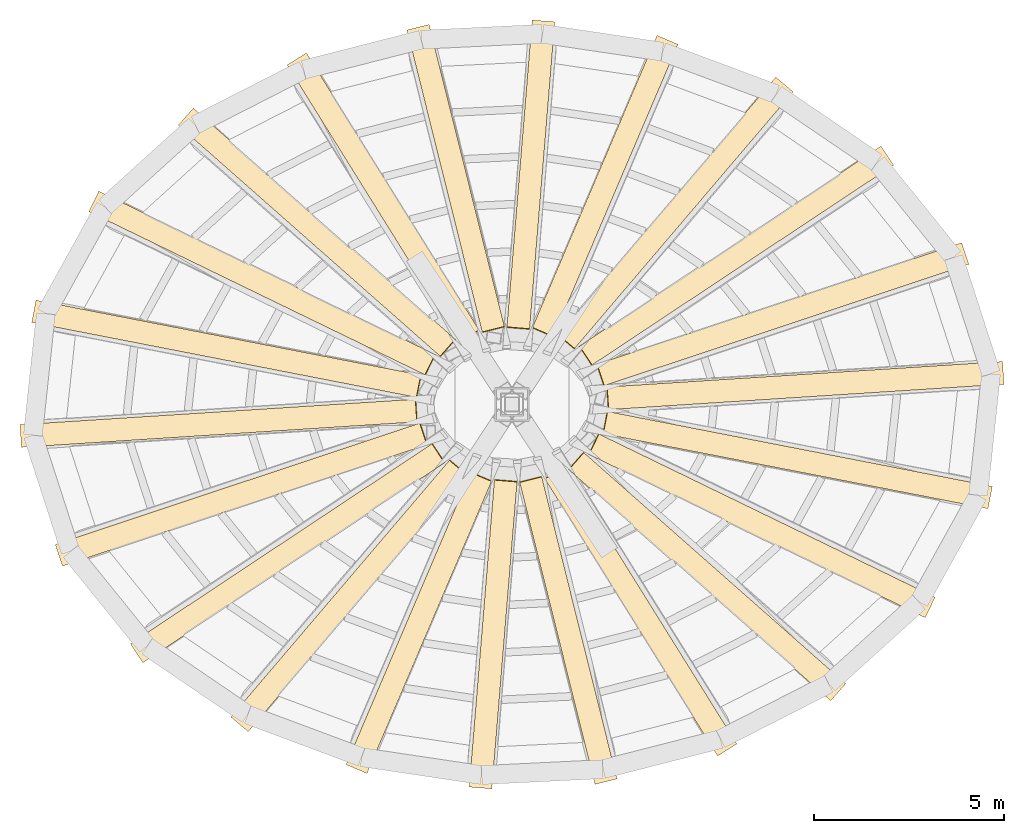
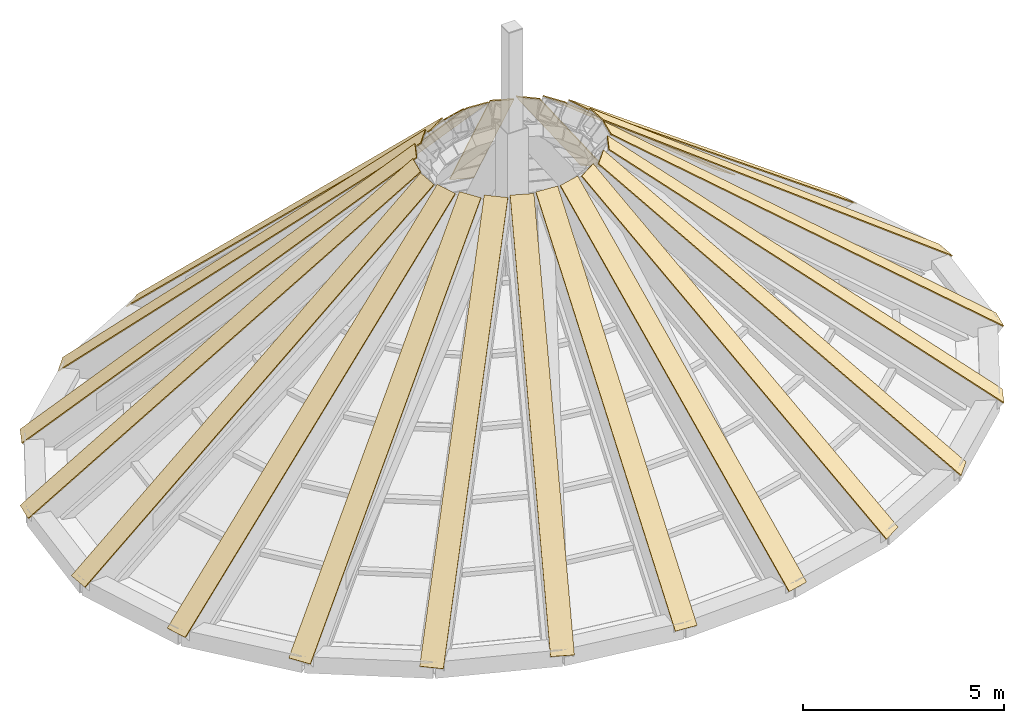
# One storey, part 9 of 9: 22 coverings.
"""IFC4 building model written with IfcOpenShell, lengths in metres."""

import ifcopenshell
import ifcopenshell.guid

model = None  # the IFC model being written
_history = None  # IfcOwnerHistory: only IFC2X3 demands one
_inside = {}  # id of a spatial element -> (the spatial element, [elements in it])
_under = {}  # id of a project, library or spatial element -> (it, [spatial elements below it])
_declared = {}  # id of a project -> (the project, [libraries it declares])
_typed = {}  # id of a type object -> (the type object, [elements of that type])
_made_of = {}  # id of a material, layer set ... -> (it, [elements and type objects made of it])


def new_model(schema):
    """Start an empty IFC model of exactly this schema.

    Asked for "IFC4X3", IfcOpenShell would pick the latest addendum, in which some entities
    have other attributes; the version numbers below select the first issue.
    IFC2X3 requires an IfcOwnerHistory on every rooted entity: one is made here for all.
    """
    global model, _history
    if schema == "IFC4X3":
        model = ifcopenshell.file(schema_version=(4, 3, 0, 0))
    else:
        model = ifcopenshell.file(schema=schema)
    _inside.clear()
    _under.clear()
    _declared.clear()
    _typed.clear()
    _made_of.clear()
    _history = None
    if model.schema == "IFC2X3":
        org = make("IfcOrganization", Name="unknown")
        user = make(
            "IfcPersonAndOrganization",
            ThePerson=make("IfcPerson", FamilyName="unknown"),
            TheOrganization=org,
        )
        app = make(
            "IfcApplication",
            ApplicationDeveloper=org,
            Version="unknown",
            ApplicationFullName="unknown",
            ApplicationIdentifier="unknown",
        )
        _history = make(
            "IfcOwnerHistory",
            OwningUser=user,
            OwningApplication=app,
            ChangeAction="ADDED",
            CreationDate=0,
        )
    return model


def make(cls, **values):
    """One entity of the class cls with the attributes given. An attribute that is None is left unset."""
    return model.create_entity(
        cls, **{name: value for name, value in values.items() if value is not None}
    )


def rooted(cls, **values):
    """An entity with a GlobalId (a new one), such as an element, a storey or a relation."""
    return make(cls, GlobalId=ifcopenshell.guid.new(), OwnerHistory=_history, **values)


def si_unit(unit_type, name, prefix=None):
    """IfcSIUnit, for example si_unit("LENGTHUNIT", "METRE", prefix="MILLI")."""
    return make("IfcSIUnit", UnitType=unit_type, Prefix=prefix, Name=name)


def assignment(units):
    """IfcUnitAssignment: the units of a project."""
    return None if units is None else make("IfcUnitAssignment", Units=units)


def point(xyz):
    """IfcCartesianPoint."""
    return None if xyz is None else make("IfcCartesianPoint", Coordinates=xyz)


def direction(xyz):
    """IfcDirection."""
    return None if xyz is None else make("IfcDirection", DirectionRatios=xyz)


def frame(location, z_axis=None, x_axis=None):
    """IfcAxis2Placement3D, a coordinate frame: its origin and axes. An axis left out is left unset."""
    return make(
        "IfcAxis2Placement3D",
        Location=point(location),
        Axis=direction(z_axis),
        RefDirection=direction(x_axis),
    )


def origin():
    """The frame at (0, 0, 0) with its axes left unset."""
    return frame((0.0, 0.0, 0.0))


def place(relative_to, where):
    """IfcLocalPlacement: puts the frame where relative to a parent placement (None: the world)."""
    return make(
        "IfcLocalPlacement", PlacementRelTo=relative_to, RelativePlacement=where
    )


def context(
    kind, dimensions, precision=None, world=None, true_north=None, identifier=None
):
    """IfcGeometricRepresentationContext, for example the 3D "Model" context."""
    return make(
        "IfcGeometricRepresentationContext",
        ContextIdentifier=identifier,
        ContextType=kind,
        CoordinateSpaceDimension=dimensions,
        Precision=precision,
        WorldCoordinateSystem=world,
        TrueNorth=true_north,
    )


def subcontext(parent, identifier, kind, view, scale=None):
    """IfcGeometricRepresentationSubContext, for example "Body" below "Model"."""
    return make(
        "IfcGeometricRepresentationSubContext",
        ContextIdentifier=identifier,
        ContextType=kind,
        ParentContext=parent,
        TargetScale=scale,
        TargetView=view,
    )


def project(units=None, contexts=None):
    """IfcProject with its units and contexts."""
    return rooted(
        "IfcProject",
        Name="project",
        RepresentationContexts=contexts,
        UnitsInContext=assignment(units),
    )


def spatial(cls, under=None, at=None, **own):
    """A site, building, storey or space (cls), placed at a placement, below another one or the project."""
    s = rooted(cls, ObjectPlacement=at, **own)
    if under is not None:
        _under.setdefault(under.id(), (under, []))[1].append(s)
    return s


def polyline(points):
    """IfcPolyline through the points."""
    return make("IfcPolyline", Points=[point(p) for p in points])


def outline(outer, holes=None, kind="AREA"):
    """IfcArbitraryClosedProfileDef: a profile drawn as a closed curve; with holes, ...WithVoids."""
    if holes is None:
        return make("IfcArbitraryClosedProfileDef", ProfileType=kind, OuterCurve=outer)
    return make(
        "IfcArbitraryProfileDefWithVoids",
        ProfileType=kind,
        OuterCurve=outer,
        InnerCurves=holes,
    )


def extrude(swept, where, along, depth):
    """IfcExtrudedAreaSolid: the profile swept, set in the frame where, extruded along a direction by depth."""
    return make(
        "IfcExtrudedAreaSolid",
        SweptArea=swept,
        Position=where,
        ExtrudedDirection=direction(along),
        Depth=depth,
    )


def shape(context_of_items, identifier, shape_type, items):
    """IfcShapeRepresentation: the items that make up one representation, for example the "Body"."""
    return make(
        "IfcShapeRepresentation",
        ContextOfItems=context_of_items,
        RepresentationIdentifier=identifier,
        RepresentationType=shape_type,
        Items=items,
    )


def source(mapping_origin, context_of_items, identifier, shape_type, items):
    """IfcRepresentationMap: a shape defined once, which mapped items show again and again."""
    return make(
        "IfcRepresentationMap",
        MappingOrigin=mapping_origin,
        MappedRepresentation=shape(context_of_items, identifier, shape_type, items),
    )


def transform(
    local_origin,
    x_axis=None,
    y_axis=None,
    z_axis=None,
    scale=None,
    scale2=None,
    scale3=None,
    uniform=True,
):
    """IfcCartesianTransformationOperator3D, or its non-uniform kind. x_axis, y_axis, z_axis: its Axis1, 2, 3."""
    if uniform:
        return make(
            "IfcCartesianTransformationOperator3D",
            Axis1=direction(x_axis),
            Axis2=direction(y_axis),
            LocalOrigin=point(local_origin),
            Scale=scale,
            Axis3=direction(z_axis),
        )
    return make(
        "IfcCartesianTransformationOperator3DnonUniform",
        Axis1=direction(x_axis),
        Axis2=direction(y_axis),
        LocalOrigin=point(local_origin),
        Scale=scale,
        Axis3=direction(z_axis),
        Scale2=scale2,
        Scale3=scale3,
    )


def mapped(mapping_source, mapping_target):
    """IfcMappedItem: shows the shape of a source again, moved by a transform."""
    return make(
        "IfcMappedItem", MappingSource=mapping_source, MappingTarget=mapping_target
    )


def material(Name=None, Category=None):
    """IfcMaterial."""
    return make("IfcMaterial", Name=Name, Category=Category)


def layer(
    of_material, thickness, ventilated=None, Name=None, Category=None, Priority=None
):
    """IfcMaterialLayer: one layer of a wall or slab, of a material (None: an air gap)."""
    return make(
        "IfcMaterialLayer",
        Material=of_material,
        LayerThickness=thickness,
        IsVentilated=ventilated,
        Name=Name,
        Category=Category,
        Priority=Priority,
    )


def layer_set(layers, Name=None):
    """IfcMaterialLayerSet."""
    return make("IfcMaterialLayerSet", MaterialLayers=layers, LayerSetName=Name)


def made_of(thing, what):
    """Note that an element or type object is made of a material, layer set ...; save() writes the relation."""
    if what is not None:
        _made_of.setdefault(what.id(), (what, []))[1].append(thing)
    return thing


def type_object(cls, material=None, **own):
    """A type object (cls), such as IfcWallType, which elements share."""
    return made_of(rooted(cls, **own), material)


def element(
    cls,
    number,
    at=None,
    inside=None,
    cuts=None,
    type_object=None,
    material=None,
    context=None,
    identifier="Body",
    shape_type=None,
    held_by="IfcProductDefinitionShape",
    body=None,
    shapes=None,
    **own,
):
    """One element of the class cls, such as IfcWall. Its Tag is "e" and its number.

    at: its placement. inside: the storey or other place that contains it. cuts: it is an
    opening in that element (IfcRelVoidsElement). A single representation is given by context,
    identifier, shape_type and body (its items); several are given by shapes. held_by: the class
    of the entity that holds the representations. save() writes the other relations.
    """
    e = rooted(cls, Tag="e%d" % number, ObjectPlacement=at, **own)
    if body is not None:
        shapes = [shape(context, identifier, shape_type, body)]
    if shapes is not None:
        e.Representation = make(held_by, Representations=shapes)
    if inside is not None:
        _inside.setdefault(inside.id(), (inside, []))[1].append(e)
    if cuts is not None:
        rooted(
            "IfcRelVoidsElement", RelatingBuildingElement=cuts, RelatedOpeningElement=e
        )
    if type_object is not None:
        _typed.setdefault(type_object.id(), (type_object, []))[1].append(e)
    return made_of(e, material)


def aggregate(whole, parts):
    """IfcRelAggregates: a whole, such as a stair, and the parts it consists of."""
    return rooted("IfcRelAggregates", RelatingObject=whole, RelatedObjects=parts)


def save(model, path):
    """Write the relations noted so far, then the file.

    IfcRelAggregates (storeys below a building ...), IfcRelContainedInSpatialStructure (elements
    in a storey), IfcRelDefinesByType, IfcRelAssociatesMaterial and IfcRelDeclares: one each for
    every whole, place, type object, material and project.
    """
    for whole, parts in _under.values():
        aggregate(whole, parts)
    for where, things in _inside.values():
        rooted(
            "IfcRelContainedInSpatialStructure",
            RelatedElements=things,
            RelatingStructure=where,
        )
    for kind, things in _typed.values():
        rooted("IfcRelDefinesByType", RelatedObjects=things, RelatingType=kind)
    for what, things in _made_of.values():
        rooted("IfcRelAssociatesMaterial", RelatedObjects=things, RelatingMaterial=what)
    for by, libraries in _declared.values():
        rooted("IfcRelDeclares", RelatingContext=by, RelatedDefinitions=libraries)
    model.write(path)


model = new_model("IFC4")

# Units and contexts
model_context = context("Model", 3, precision=1e-05, world=origin(), true_north=direction((0.0, 1.0)))
body_context = subcontext(model_context, "Body", "Model", "MODEL_VIEW")
ifc_project = project(units=[si_unit("LENGTHUNIT", "METRE"), si_unit("AREAUNIT", "SQUARE_METRE"), si_unit("VOLUMEUNIT", "CUBIC_METRE"), si_unit("PLANEANGLEUNIT", "RADIAN"), si_unit("MASSUNIT", "GRAM", prefix="KILO")], contexts=[model_context])

# Site, building, storey
site_placement = place(None, origin())
site = spatial("IfcSite", under=ifc_project, at=site_placement, CompositionType="ELEMENT")
building_placement = place(site_placement, origin())
building = spatial("IfcBuilding", under=site, at=building_placement, Name="Embergate Tower", CompositionType="ELEMENT")
storey_placement = place(building_placement, frame((0.0, 0.0, 374.5)))
storey = spatial("IfcBuildingStorey", under=building, at=storey_placement, Name="Roof", CompositionType="ELEMENT", Elevation=374.5)

# Coverings
ifc_material = material(Name="Terracotta, extruded and fired", Category="masonry")
ifc_layer = layer(ifc_material, 0.030029296875)
ifc_layer_set = layer_set([ifc_layer], Name="Terracotta, extruded and fired")
covering_type = type_object("IfcCoveringType", Name="Terracotta hip facing", PredefinedType="CLADDING", material=ifc_layer_set)
shared_shape_1 = source(origin(), body_context, "Body", "SweptSolid", [
    extrude(outline(polyline([(0.0, 0.0), (13.272705078125, 0.0), (13.2724609375, -0.599853515625), (0.0, -0.599853515625), (0.0, 0.0)])), origin(), (0.0, 0.0, -1.0), 0.030029296875),
])
for number, where, z_axis, x_axis, name in (
    (1, (12.976318359375, 0.53271484375, 0.166748046875), (0.615501475933, 0.039410167912, 0.787149777228), (-0.785529856111, -0.0504740411, 0.616761879766), "Hip facing Roof-HP00"),
    (2, (-12.976318359375, -0.53271484375, 0.166748046875), (-0.615501475933, -0.039410167912, 0.787149777228), (0.785529856111, 0.0504740411, 0.616761879766), "Hip facing Roof-HP11"),
):
    element("IfcCovering", number, at=place(storey_placement, frame(where, z_axis=z_axis, x_axis=x_axis)), inside=storey, type_object=covering_type, Name=name, PredefinedType="CLADDING", context=body_context, shape_type="MappedRepresentation", body=[
        mapped(shared_shape_1, transform((0.0, 0.0, 0.0))),
    ])
shared_shape_2 = source(origin(), body_context, "Body", "SweptSolid", [
    extrude(outline(polyline([(0.0, 0.0), (13.02685546875, 0.0), (13.02685546875, -0.60009765625), (0.0, -0.60009765625), (0.0, 0.0)])), origin(), (0.0, 0.0, -1.0), 0.030029296875),
])
for number, where, z_axis, x_axis, name in (
    (3, (12.047607421875, 3.69482421875, 0.16259765625), (0.596358802218, 0.198573160344, 0.777769168203), (-0.737935294924, -0.245716054653, 0.62855001471), "Hip facing Roof-HP01"),
    (4, (-12.047607421875, -3.69482421875, 0.16259765625), (-0.596358802218, -0.198573160344, 0.777769168203), (0.737935294924, 0.245716054653, 0.62855001471), "Hip facing Roof-HP12"),
):
    element("IfcCovering", number, at=place(storey_placement, frame(where, z_axis=z_axis, x_axis=x_axis)), inside=storey, type_object=covering_type, Name=name, PredefinedType="CLADDING", context=body_context, shape_type="MappedRepresentation", body=[
        mapped(shared_shape_2, transform((0.0, 0.0, 0.0))),
    ])
shared_shape_3 = source(origin(), body_context, "Body", "SweptSolid", [
    extrude(outline(polyline([(0.0, 0.0), (12.576904296875, 0.0), (12.57666015625, -0.60009765625), (0.0, -0.60009765625), (0.0, 0.0)])), origin(), (0.0, 0.0, -1.0), 0.030029296875),
])
for number, where, z_axis, x_axis, name in (
    (5, (10.06396484375, 6.311767578125, 0.15234375), (0.543207302474, 0.360017333704, 0.75849413048), (-0.632190231414, -0.419104832998, 0.651679867928), "Hip facing Roof-HP02"),
    (6, (-10.06396484375, -6.311767578125, 0.15234375), (-0.543207302474, -0.360017333704, 0.75849413048), (0.632190231414, 0.419104832998, 0.651679867928), "Hip facing Roof-HP13"),
):
    element("IfcCovering", number, at=place(storey_placement, frame(where, z_axis=z_axis, x_axis=x_axis)), inside=storey, type_object=covering_type, Name=name, PredefinedType="CLADDING", context=body_context, shape_type="MappedRepresentation", body=[
        mapped(shared_shape_3, transform((0.0, 0.0, 0.0))),
    ])
shared_shape_4 = source(origin(), body_context, "Body", "SweptSolid", [
    extrude(outline(polyline([(0.0, 0.0), (12.096435546875, 0.0), (12.096435546875, -0.600341796875), (0.0, -0.599853515625), (0.0, 0.0)])), origin(), (0.0, 0.0, -1.0), 0.030029296875),
])
for number, where, z_axis, x_axis, name in (
    (7, (7.41455078125, 8.243896484375, 0.140380859375), (0.439685303541, 0.516392246989, 0.734857728475), (-0.47641318582, -0.559505458035, 0.67822129044), "Hip facing Roof-HP03"),
    (8, (-7.41455078125, -8.243896484375, 0.140380859375), (-0.439685303541, -0.516392246989, 0.734857728475), (0.47641318582, 0.559505458035, 0.67822129044), "Hip facing Roof-HP14"),
):
    element("IfcCovering", number, at=place(storey_placement, frame(where, z_axis=z_axis, x_axis=x_axis)), inside=storey, type_object=covering_type, Name=name, PredefinedType="CLADDING", context=body_context, shape_type="MappedRepresentation", body=[
        mapped(shared_shape_4, transform((0.0, 0.0, 0.0))),
    ])
shared_shape_5 = source(origin(), body_context, "Body", "SweptSolid", [
    extrude(outline(polyline([(0.0, 0.0), (11.725830078125, 0.0), (11.725830078125, -0.599853515625), (0.0, -0.60009765625), (0.0, 0.0)])), origin(), (0.0, 0.0, -1.0), 0.030029296875),
])
for number, where, z_axis, x_axis, name in (
    (9, (4.376708984375, 9.497802734375, 0.130615234375), (0.274656602438, 0.644046939638, 0.713979894871), (-0.280081535372, -0.656750808028, 0.700166201482), "Hip facing Roof-HP04"),
    (10, (-4.376708984375, -9.497802734375, 0.130615234375), (-0.274656602438, -0.644046939638, 0.713979894871), (0.280081535372, 0.656750808028, 0.700166201482), "Hip facing Roof-HP15"),
):
    element("IfcCovering", number, at=place(storey_placement, frame(where, z_axis=z_axis, x_axis=x_axis)), inside=storey, type_object=covering_type, Name=name, PredefinedType="CLADDING", context=body_context, shape_type="MappedRepresentation", body=[
        mapped(shared_shape_5, transform((0.0, 0.0, 0.0))),
    ])
shared_shape_6 = source(origin(), body_context, "Body", "SweptSolid", [
    extrude(outline(polyline([(0.0, 0.0), (11.551025390625, 0.0), (11.551025390625, -0.599853515625), (0.0, -0.599853515625), (0.0, 0.0)])), origin(), (0.0, 0.0, -1.0), 0.030029296875),
])
for number, where, z_axis, x_axis, name in (
    (11, (1.128173828125, 10.09033203125, 0.125), (0.058168899655, 0.708734503757, 0.703073098829), (-0.057489666427, -0.700718717304, 0.711117583437), "Hip facing Roof-HP05"),
    (12, (-1.128173828125, -10.09033203125, 0.125), (-0.058168899655, -0.708734503757, 0.703073098829), (0.057489666427, 0.700718717304, 0.711117583437), "Hip facing Roof-HP16"),
):
    element("IfcCovering", number, at=place(storey_placement, frame(where, z_axis=z_axis, x_axis=x_axis)), inside=storey, type_object=covering_type, Name=name, PredefinedType="CLADDING", context=body_context, shape_type="MappedRepresentation", body=[
        mapped(shared_shape_6, transform((0.0, 0.0, 0.0))),
    ])
shared_shape_7 = source(origin(), body_context, "Body", "SweptSolid", [
    extrude(outline(polyline([(0.0, 0.0), (11.6103515625, 0.0), (11.6103515625, -0.599853515625), (0.0, -0.60009765625), (0.0, 0.0)])), origin(), (0.0, 0.0, -1.0), 0.030029296875),
])
for number, where, z_axis, x_axis, name in (
    (13, (-2.187255859375, 10.02197265625, 0.127197265625), (-0.170973783181, 0.686341727265, 0.706896738484), (0.170873641174, -0.685933814324, 0.707316761514), "Hip facing Roof-HP06"),
    (14, (2.187255859375, -10.02197265625, 0.127197265625), (0.170973783181, -0.686341727265, 0.706896738484), (-0.170873641174, 0.685933814324, 0.707316761514), "Hip facing Roof-HP17"),
):
    element("IfcCovering", number, at=place(storey_placement, frame(where, z_axis=z_axis, x_axis=x_axis)), inside=storey, type_object=covering_type, Name=name, PredefinedType="CLADDING", context=body_context, shape_type="MappedRepresentation", body=[
        mapped(shared_shape_7, transform((0.0, 0.0, 0.0))),
    ])
shared_shape_8 = source(origin(), body_context, "Body", "SweptSolid", [
    extrude(outline(polyline([(0.0, 0.0), (11.890625, 0.0), (11.890625, -0.60009765625), (0.0, -0.60009765625), (0.0, 0.0)])), origin(), (0.0, 0.0, -1.0), 0.030029296875),
])
for number, where, z_axis, x_axis, name in (
    (15, (-5.421875, 9.27099609375, 0.134765625), (-0.365099537382, 0.585844334599, 0.723525219617), (0.382579464018, -0.614102355461, 0.690297943448), "Hip facing Roof-HP07"),
    (16, (5.421875, -9.27099609375, 0.134765625), (0.365099537382, -0.585844334599, 0.723525219617), (-0.382579464018, 0.614102355461, 0.690297943448), "Hip facing Roof-HP18"),
):
    element("IfcCovering", number, at=place(storey_placement, frame(where, z_axis=z_axis, x_axis=x_axis)), inside=storey, type_object=covering_type, Name=name, PredefinedType="CLADDING", context=body_context, shape_type="MappedRepresentation", body=[
        mapped(shared_shape_8, transform((0.0, 0.0, 0.0))),
    ])
shared_shape_9 = source(origin(), body_context, "Body", "SweptSolid", [
    extrude(outline(polyline([(0.0, 0.0), (12.33056640625, 0.0), (12.33056640625, -0.60009765625), (0.0, -0.60009765625), (0.0, 0.0)])), origin(), (0.0, 0.0, -1.0), 0.030029296875),
])
for number, where, z_axis, x_axis, name in (
    (17, (-8.405029296875, 7.814208984375, 0.146484375), (-0.49866980668, 0.439955022063, 0.746838672316), (0.560067996599, -0.494056517805, 0.66500526043), "Hip facing Roof-HP08"),
    (18, (8.405029296875, -7.814208984375, 0.146484375), (0.49866980668, -0.439955022063, 0.746838672316), (-0.560067996599, 0.494056517805, 0.66500526043), "Hip facing Roof-HP19"),
):
    element("IfcCovering", number, at=place(storey_placement, frame(where, z_axis=z_axis, x_axis=x_axis)), inside=storey, type_object=covering_type, Name=name, PredefinedType="CLADDING", context=body_context, shape_type="MappedRepresentation", body=[
        mapped(shared_shape_9, transform((0.0, 0.0, 0.0))),
    ])
shared_shape_10 = source(origin(), body_context, "Body", "SweptSolid", [
    extrude(outline(polyline([(0.0, 0.0), (12.815673828125, 0.0), (12.8154296875, -0.60009765625), (0.0, -0.60009765625), (0.0, 0.0)])), origin(), (0.0, 0.0, -1.0), 0.030029296875),
])
for number, where, z_axis, x_axis, name in (
    (19, (-10.898681640625, 5.625, 0.15771484375), (-0.574983815808, 0.279300143907, 0.769015631292), (0.691808554927, -0.335836238877, 0.63922996174), "Hip facing Roof-HP09"),
    (20, (10.898681640625, -5.625, 0.15771484375), (0.574983815808, -0.279300143907, 0.769015631292), (-0.691808554927, 0.335836238877, 0.63922996174), "Hip facing Roof-HP20"),
):
    element("IfcCovering", number, at=place(storey_placement, frame(where, z_axis=z_axis, x_axis=x_axis)), inside=storey, type_object=covering_type, Name=name, PredefinedType="CLADDING", context=body_context, shape_type="MappedRepresentation", body=[
        mapped(shared_shape_10, transform((0.0, 0.0, 0.0))),
    ])
shared_shape_11 = source(origin(), body_context, "Body", "SweptSolid", [
    extrude(outline(polyline([(0.0, 0.0), (13.1845703125, 0.0), (13.1845703125, -0.599853515625), (0.0, -0.599853515625), (0.0, 0.0)])), origin(), (0.0, 0.0, -1.0), 0.030029296875),
])
for number, where, z_axis, x_axis, name in (
    (21, (-12.5537109375, 2.75048828125, 0.165771484375), (-0.609418365641, 0.118750676555, 0.783905308336), (0.769462085848, -0.149785310979, 0.620880390299), "Hip facing Roof-HP10"),
    (22, (12.5537109375, -2.75048828125, 0.165771484375), (0.609418365641, -0.118750676555, 0.783905308336), (-0.769462085848, 0.149785310979, 0.620880390299), "Hip facing Roof-HP21"),
):
    element("IfcCovering", number, at=place(storey_placement, frame(where, z_axis=z_axis, x_axis=x_axis)), inside=storey, type_object=covering_type, Name=name, PredefinedType="CLADDING", context=body_context, shape_type="MappedRepresentation", body=[
        mapped(shared_shape_11, transform((0.0, 0.0, 0.0))),
    ])

save(model, "model.ifc")
